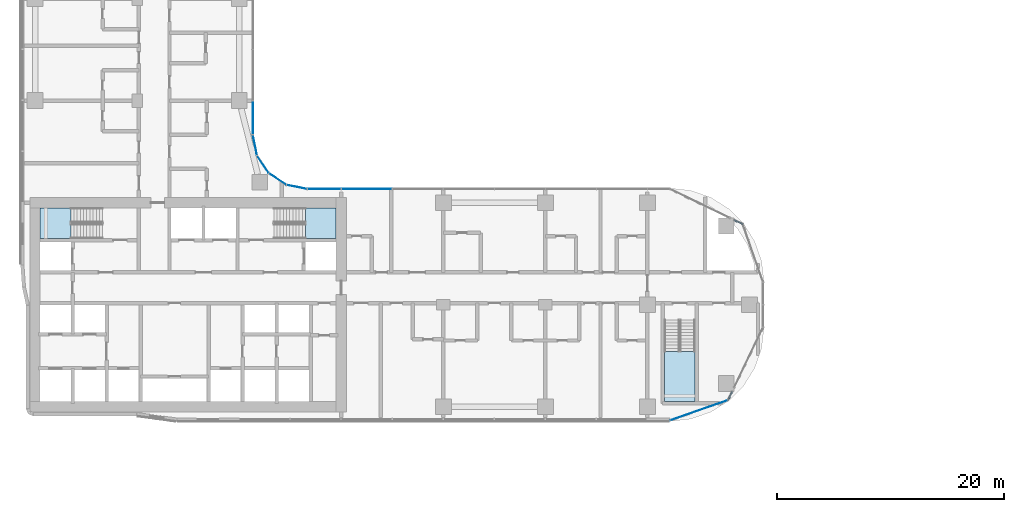
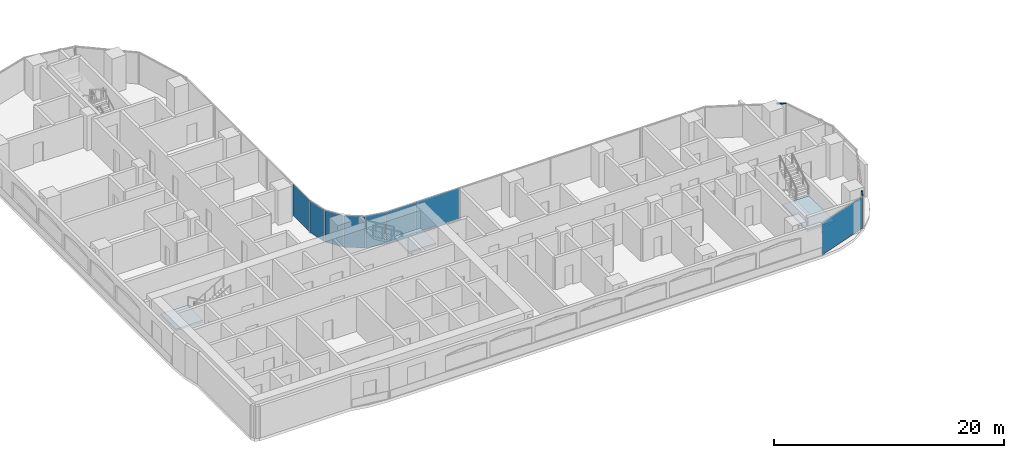
# One storey, part 14 of 36: 8 plates, 3 slabs, 2 members, 8 elements without a shape of their own.
"""IFC4 building model written with IfcOpenShell, lengths in metres."""

from ifc_helpers import new_model, si_unit, direction, frame, origin, origin_2d, place, context, subcontext, project, spatial, polyline, rectangle, outline, extrude, material, layer, layer_set, material_profile, profile_set, type_object, element, aggregate, save


model = new_model("IFC4")

# Units and contexts
model_context = context("Model", 3, precision=1e-05, world=origin(), true_north=direction((0.0, 1.0)))
body_context = subcontext(model_context, "Body", "Model", "MODEL_VIEW")
ifc_project = project(units=[si_unit("LENGTHUNIT", "METRE"), si_unit("AREAUNIT", "SQUARE_METRE"), si_unit("VOLUMEUNIT", "CUBIC_METRE"), si_unit("PLANEANGLEUNIT", "RADIAN"), si_unit("MASSUNIT", "GRAM", prefix="KILO")], contexts=[model_context])

# Site, building, storey
site_placement = place(None, origin())
site = spatial("IfcSite", under=ifc_project, at=site_placement, CompositionType="ELEMENT")
building_placement = place(site_placement, origin())
building = spatial("IfcBuilding", under=site, at=building_placement, Name="Ogive Portal Towers", CompositionType="ELEMENT")
storey_placement = place(building_placement, frame((0.0, 0.0, 48.300048828125)))
storey = spatial("IfcBuildingStorey", under=building, at=storey_placement, Name="L10", CompositionType="ELEMENT", Elevation=48.300048828125)

# Curtain wall, member
ifc_material_1 = material(Name="Glass, clear low-iron insulated glazing", Category="glass")
curtain_wall_type = type_object("IfcCurtainWallType", Name="CW FRONT RIBBON 4500", PredefinedType="NOTDEFINED", material=ifc_material_1)
curtain_wall_1_placement = place(storey_placement, origin())
curtain_wall_1 = element("IfcCurtainWall", 1, at=curtain_wall_1_placement, inside=storey, type_object=curtain_wall_type, Name="A:L10:f06:cwa~0", PredefinedType="NOTDEFINED")
ifc_material_2 = material(Name="Aluminium 6063 anodised", Category="aluminium")
ifc_material_profile = material_profile(ifc_material_2, rectangle(XDim=0.1201171875, YDim=0.06005859375, at=origin_2d()), Name="AL 120x60")
ifc_profile_set = profile_set([ifc_material_profile], Name="Aluminium 6063 anodised")
member_type = type_object("IfcMemberType", Name="CW TRANSOM 60x120", PredefinedType="USERDEFINED", material=ifc_profile_set)
member_1_placement = place(storey_placement, frame((92.60791015625, 22.087158203125, 3.369873046875), z_axis=(0.433902301551, 0.90095992847, 0.0), x_axis=(-0.90095992847, 0.433902301551, 0.0)))
member_1 = element("IfcMember", 2, at=member_1_placement, type_object=member_type, Name="transom", ObjectType="TRANSOM", PredefinedType="USERDEFINED", context=body_context, shape_type="SweptSolid", body=[
    extrude(rectangle(XDim=0.1201171875, YDim=0.06005859375, at=origin_2d()), origin(), (0.0, 0.0, 1.0), 0.846923828125),
])

curtain_wall_2_placement = place(storey_placement, origin())
curtain_wall_2 = element("IfcCurtainWall", 3, at=curtain_wall_2_placement, inside=storey, type_object=curtain_wall_type, Name="A:L10:f09:cwa~0", PredefinedType="NOTDEFINED")
member_2_placement = place(storey_placement, frame((93.912841796875, 37.60791015625, 3.369873046875), z_axis=(-0.90095992847, 0.433902301551, 0.0), x_axis=(-0.433902301551, -0.90095992847, 0.0)))
member_2 = element("IfcMember", 4, at=member_2_placement, type_object=member_type, Name="transom", ObjectType="TRANSOM", PredefinedType="USERDEFINED", context=body_context, shape_type="SweptSolid", body=[
    extrude(rectangle(XDim=0.1201171875, YDim=0.06005859375, at=origin_2d()), origin(), (0.0, 0.0, 1.0), 0.846923828125),
])
aggregate(curtain_wall_2, [member_2])

# Curtain wall, plates
curtain_wall_3_placement = place(storey_placement, origin())
curtain_wall_3 = element("IfcCurtainWall", 5, at=curtain_wall_3_placement, inside=storey, type_object=curtain_wall_type, Name="A:L10:f11:cw0", PredefinedType="NOTDEFINED")
ifc_layer_1 = layer(ifc_material_1, 0.028076171875)
ifc_layer_set_1 = layer_set([ifc_layer_1], Name="CW PANEL IGU 28")
plate_type = type_object("IfcPlateType", Name="CW PANEL IGU 28", PredefinedType="CURTAIN_PANEL", material=ifc_layer_set_1)
plate_1_placement = place(storey_placement, frame((60.75, 40.705078125, 0.0), z_axis=(0.0, 0.0, 1.0), x_axis=(-1.0, 0.0, 0.0)))
plate_1 = element("IfcPlate", 6, at=plate_1_placement, type_object=plate_type, Name="panel", PredefinedType="CURTAIN_PANEL", context=body_context, shape_type="SweptSolid", body=[
    extrude(rectangle(XDim=4.43994140625, YDim=0.028076171875, at=origin_2d()), origin(), (0.0, 0.0, 1.0), 3.340087890625),
])
plate_2_placement = place(storey_placement, frame((56.99609375, 40.705078125, 0.0), z_axis=(0.0, 0.0, 1.0), x_axis=(-1.0, 0.0, 0.0)))
plate_2 = element("IfcPlate", 7, at=plate_2_placement, type_object=plate_type, Name="panel", PredefinedType="CURTAIN_PANEL", context=body_context, shape_type="SweptSolid", body=[
    extrude(rectangle(XDim=2.947998046875, YDim=0.028076171875, at=origin_2d()), origin(), (0.0, 0.0, 1.0), 3.340087890625),
])
aggregate(curtain_wall_3, [plate_1, plate_2])

# Curtain wall, plate
curtain_wall_4_placement = place(storey_placement, origin())
curtain_wall_4 = element("IfcCurtainWall", 8, at=curtain_wall_4_placement, inside=storey, type_object=curtain_wall_type, Name="A:L10:f16:cw0", PredefinedType="NOTDEFINED")
plate_3_placement = place(storey_placement, frame((50.705078125, 46.99609375, 0.0), z_axis=(0.0, 0.0, 1.0), x_axis=(0.0, 1.0, 0.0)))
plate_3 = element("IfcPlate", 9, at=plate_3_placement, type_object=plate_type, Name="panel", PredefinedType="CURTAIN_PANEL", context=body_context, shape_type="SweptSolid", body=[
    extrude(rectangle(XDim=2.947998046875, YDim=0.028076171875, at=origin_2d()), origin(), (0.0, 0.0, 1.0), 3.340087890625),
])
aggregate(curtain_wall_4, [plate_3])

# Plate
plate_4_placement = place(storey_placement, frame((90.047119140625, 21.191162109375, 0.0), z_axis=(0.0, 0.0, 1.0), x_axis=(0.943883330307, 0.33027906196, 0.0)))
plate_4 = element("IfcPlate", 10, at=plate_4_placement, type_object=plate_type, Name="panel", PredefinedType="CURTAIN_PANEL", context=body_context, shape_type="SweptSolid", body=[
    extrude(rectangle(XDim=5.365966796875, YDim=0.028076171875, at=origin_2d()), origin(), (0.0, 0.0, 1.0), 3.340087890625),
])

aggregate(curtain_wall_1, [member_1, plate_4])

# Curtain wall, plates
curtain_wall_5_placement = place(storey_placement, origin())
curtain_wall_5 = element("IfcCurtainWall", 11, at=curtain_wall_5_placement, inside=storey, type_object=curtain_wall_type, Name="A:L10:f12:cwa", PredefinedType="NOTDEFINED")
plate_5_placement = place(storey_placement, frame((54.578369140625, 40.88671875, 0.0), z_axis=(0.0, 0.0, 1.0), x_axis=(-0.980785280403, 0.195090322016, 0.0)))
plate_5 = element("IfcPlate", 12, at=plate_5_placement, type_object=plate_type, Name="panel", PredefinedType="CURTAIN_PANEL", context=body_context, shape_type="SweptSolid", body=[
    extrude(rectangle(XDim=1.803466796875, YDim=0.028076171875, at=origin_2d()), origin(), (0.0, 0.0, 1.0), 3.340087890625),
])
plate_6_placement = place(storey_placement, frame((52.886474609375, 41.58837890625, 0.0), z_axis=(0.0, 0.0, 1.0), x_axis=(-0.831469612303, 0.55557023302, 0.0)))
plate_6 = element("IfcPlate", 13, at=plate_6_placement, type_object=plate_type, Name="panel", PredefinedType="CURTAIN_PANEL", context=body_context, shape_type="SweptSolid", body=[
    extrude(rectangle(XDim=1.8115234375, YDim=0.028076171875, at=origin_2d()), origin(), (0.0, 0.0, 1.0), 3.340087890625),
])
plate_7_placement = place(storey_placement, frame((51.58837890625, 42.886474609375, 0.0), z_axis=(0.0, 0.0, 1.0), x_axis=(-0.55557023302, 0.831469612303, 0.0)))
plate_7 = element("IfcPlate", 14, at=plate_7_placement, type_object=plate_type, Name="panel", PredefinedType="CURTAIN_PANEL", context=body_context, shape_type="SweptSolid", body=[
    extrude(rectangle(XDim=1.8115234375, YDim=0.028076171875, at=origin_2d()), origin(), (0.0, 0.0, 1.0), 3.340087890625),
])
plate_8_placement = place(storey_placement, frame((50.88671875, 44.578369140625, 0.0), z_axis=(0.0, 0.0, 1.0), x_axis=(-0.195090322016, 0.980785280403, 0.0)))
plate_8 = element("IfcPlate", 15, at=plate_8_placement, type_object=plate_type, Name="panel", PredefinedType="CURTAIN_PANEL", context=body_context, shape_type="SweptSolid", body=[
    extrude(rectangle(XDim=1.803466796875, YDim=0.028076171875, at=origin_2d()), origin(), (0.0, 0.0, 1.0), 3.340087890625),
])
aggregate(curtain_wall_5, [plate_5, plate_6, plate_7, plate_8])

# Stair, slab
ifc_material_3 = material(Name="Concrete C40/50", Category="concrete")
stair_type = type_object("IfcStairType", Name="INT-STAIR", PredefinedType="HALF_TURN_STAIR", material=ifc_material_3)
stair_1_placement = place(storey_placement, origin())
stair_1 = element("IfcStair", 16, at=stair_1_placement, inside=storey, type_object=stair_type, Name="L10 Exit Stair ST-A1", PredefinedType="HALF_TURN_STAIR")
ifc_layer_2 = layer(ifc_material_3, 0.199951171875)
ifc_layer_set_2 = layer_set([ifc_layer_2], Name="INT-LANDING")
slab_type = type_object("IfcSlabType", Name="INT-LANDING", PredefinedType="LANDING", material=ifc_layer_set_2)
slab_1_placement = place(storey_placement, frame((0.0, 0.0, 1.64990234375)))
slab_1 = element("IfcSlab", 17, at=slab_1_placement, type_object=slab_type, Name="ST-A1 landing 1", PredefinedType="LANDING", context=body_context, shape_type="SweptSolid", body=[
    extrude(outline(polyline([(34.64990234375, 39.050048828125), (31.949951171875, 39.050048828125), (31.949951171875, 36.35009765625), (34.64990234375, 36.35009765625), (34.64990234375, 39.050048828125)])), origin(), (0.0, 0.0, 1.0), 0.199951171875),
])
aggregate(stair_1, [slab_1])

stair_2_placement = place(storey_placement, origin())
stair_2 = element("IfcStair", 18, at=stair_2_placement, inside=storey, type_object=stair_type, Name="L10 Exit Stair ST-A2", PredefinedType="HALF_TURN_STAIR")
slab_2_placement = place(storey_placement, frame((0.0, 0.0, 1.64990234375)))
slab_2 = element("IfcSlab", 19, at=slab_2_placement, type_object=slab_type, Name="ST-A2 landing 1", PredefinedType="LANDING", context=body_context, shape_type="SweptSolid", body=[
    extrude(outline(polyline([(55.35009765625, 36.35009765625), (58.050048828125, 36.35009765625), (58.050048828125, 39.050048828125), (55.35009765625, 39.050048828125), (55.35009765625, 36.35009765625)])), origin(), (0.0, 0.0, 1.0), 0.199951171875),
])
aggregate(stair_2, [slab_2])

stair_3_placement = place(storey_placement, origin())
stair_3 = element("IfcStair", 20, at=stair_3_placement, inside=storey, type_object=stair_type, Name="L10 Exit Stair ST-A4", PredefinedType="HALF_TURN_STAIR")
slab_3_placement = place(storey_placement, frame((0.0, 0.0, 1.64990234375)))
slab_3 = element("IfcSlab", 21, at=slab_3_placement, type_object=slab_type, Name="ST-A4 landing 1", PredefinedType="LANDING", context=body_context, shape_type="SweptSolid", body=[
    extrude(outline(polyline([(87.0, 26.3701171875), (87.0, 21.949951171875), (89.699951171875, 21.949951171875), (89.699951171875, 26.3701171875), (87.0, 26.3701171875)])), origin(), (0.0, 0.0, 1.0), 0.199951171875),
])
aggregate(stair_3, [slab_3])

save(model, "model.ifc")
